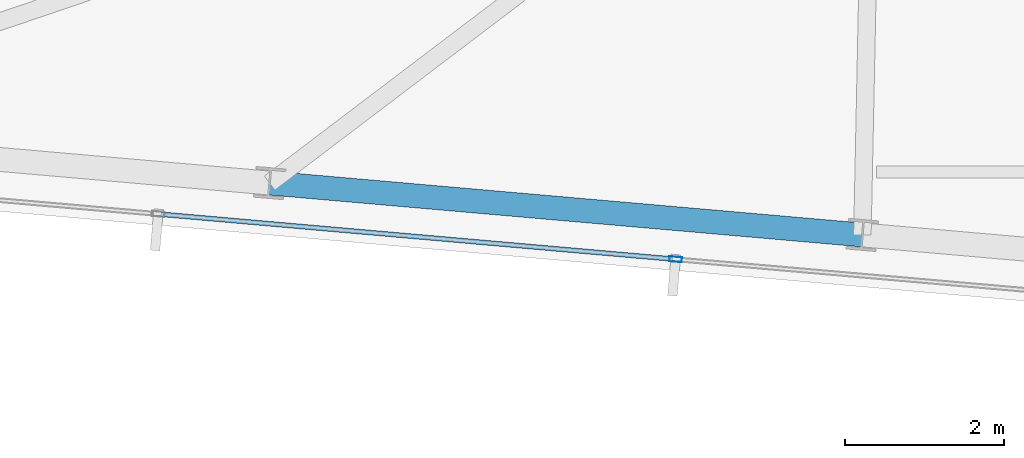
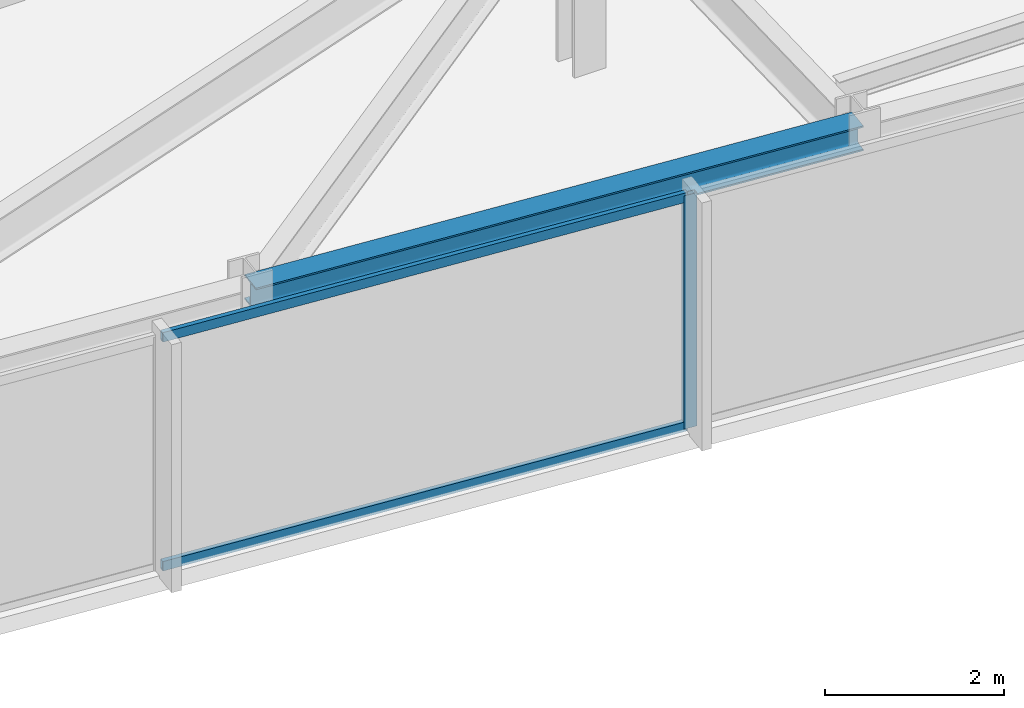
# One storey, part 3 of 32: 3 members, 1 beam, 1 element without a shape of its own.
"""IFC4 building model written with IfcOpenShell, lengths in metres."""

from ifc_helpers import new_model, si_unit, direction, frame, origin, origin_2d, place, context, subcontext, project, spatial, hollow_rectangle, i_section, extrude, material, material_profile, profile_set, type_object, element, aggregate, save


model = new_model("IFC4")

# Units and contexts
model_context = context("Model", 3, precision=1e-05, world=origin(), true_north=direction((0.0, 1.0)))
body_context = subcontext(model_context, "Body", "Model", "MODEL_VIEW")
ifc_project = project(units=[si_unit("LENGTHUNIT", "METRE"), si_unit("AREAUNIT", "SQUARE_METRE"), si_unit("VOLUMEUNIT", "CUBIC_METRE"), si_unit("PLANEANGLEUNIT", "RADIAN"), si_unit("MASSUNIT", "GRAM", prefix="KILO")], contexts=[model_context])

# Site, building, storey
site_placement = place(None, origin())
site = spatial("IfcSite", under=ifc_project, at=site_placement, CompositionType="ELEMENT")
building_placement = place(site_placement, origin())
building = spatial("IfcBuilding", under=site, at=building_placement, Name="Yelkora Congress Tower", CompositionType="ELEMENT")
storey_placement = place(building_placement, frame((0.0, 0.0, 293.10009765625)))
storey = spatial("IfcBuildingStorey", under=building, at=storey_placement, Name="L82", CompositionType="ELEMENT", Elevation=293.10009765625)

# Beam
ifc_material_1 = material(Name="Steel S355J2", Category="steel")
ifc_material_profile_1 = material_profile(ifc_material_1, i_section(OverallWidth=0.300048828125, OverallDepth=0.340087890625, WebThickness=0.011962890625, FlangeThickness=0.021484375, FilletRadius=0.027099609375, at=origin_2d()), Name="HEB 340")
ifc_profile_set_1 = profile_set([ifc_material_profile_1], Name="Steel S355J2")
beam_type = type_object("IfcBeamType", Name="BM-SPAN-HEB340", PredefinedType="SPANDREL", material=ifc_profile_set_1)
beam_placement = place(storey_placement, frame((15.452880859375, 19.445556640625, 3.010009765625), z_axis=(0.996193186297, -0.08717302092, 0.0), x_axis=(0.08717302092, 0.996193186297, 0.0)))
element("IfcBeam", 1, at=beam_placement, inside=storey, type_object=beam_type, Name="L82 Perimeter Beam 2", PredefinedType="SPANDREL", context=body_context, shape_type="SweptSolid", body=[
    extrude(i_section(OverallWidth=0.300048828125, OverallDepth=0.340087890625, WebThickness=0.011962890625, FlangeThickness=0.021484375, FilletRadius=0.027099609375, at=origin_2d()), origin(), (0.0, 0.0, 1.0), 7.4833984375),
])

# Curtain wall, members
ifc_material_2 = material(Name="Anodised aluminium and insulated glass", Category="aluminium")
curtain_wall_type = type_object("IfcCurtainWallType", Name="CW-SYS-B5", PredefinedType="NOTDEFINED", material=ifc_material_2)
curtain_wall_placement = place(storey_placement, origin())
curtain_wall = element("IfcCurtainWall", 2, at=curtain_wall_placement, inside=storey, type_object=curtain_wall_type, Name="L82 Unitised Curtain Wall 20", PredefinedType="NOTDEFINED")
ifc_material_3 = material(Name="Anodised aluminium 6063-T6", Category="aluminium")
ifc_material_profile_2 = material_profile(ifc_material_3, hollow_rectangle(XDim=0.06494140625, YDim=0.159912109375, WallThickness=0.00390625, at=origin_2d()), Name="ALU 65x160x4")
ifc_profile_set_2 = profile_set([ifc_material_profile_2], Name="Anodised aluminium 6063-T6")
member_type_1 = type_object("IfcMemberType", Name="MEM-ML-B5", PredefinedType="MULLION", material=ifc_profile_set_2)
member_1_placement = place(storey_placement, frame((20.558349609375, 18.487060546875, 0.0), z_axis=(0.0, 0.0, 1.0), x_axis=(-0.087156829793, -0.996194602987, 0.0)))
member_1 = element("IfcMember", 3, at=member_1_placement, type_object=member_type_1, Name="CW-B5 mullion 6", PredefinedType="MULLION", context=body_context, shape_type="SweptSolid", body=[
    extrude(hollow_rectangle(XDim=0.06494140625, YDim=0.159912109375, WallThickness=0.00390625, at=origin_2d()), origin(), (0.0, 0.0, 1.0), 3.179931640625),
])
ifc_material_profile_3 = material_profile(ifc_material_3, hollow_rectangle(XDim=0.06005859375, YDim=0.1298828125, WallThickness=0.00390625, at=origin_2d()), Name="ALU 60x130x4")
ifc_profile_set_3 = profile_set([ifc_material_profile_3], Name="Anodised aluminium 6063-T6")
member_type_2 = type_object("IfcMemberType", Name="MEM-TR-B5", PredefinedType="USERDEFINED", material=ifc_profile_set_3)
member_2_placement = place(storey_placement, frame((20.52587890625, 18.48974609375, 0.02978515625), z_axis=(-0.99619269288, 0.087178659385, 0.0), x_axis=(-0.087178659385, -0.99619269288, 0.0)))
member_2 = element("IfcMember", 4, at=member_2_placement, type_object=member_type_2, Name="CW-B5 transom 6.1", ObjectType="TRANSOM", PredefinedType="USERDEFINED", context=body_context, shape_type="SweptSolid", body=[
    extrude(hollow_rectangle(XDim=0.06005859375, YDim=0.1298828125, WallThickness=0.00390625, at=origin_2d()), origin(), (0.0, 0.0, 1.0), 6.46630859375),
])
member_3_placement = place(storey_placement, frame((20.52587890625, 18.48974609375, 3.14990234375), z_axis=(-0.99619269288, 0.087178659385, 0.0), x_axis=(-0.087178659385, -0.99619269288, 0.0)))
member_3 = element("IfcMember", 5, at=member_3_placement, type_object=member_type_2, Name="CW-B5 transom 6.2", ObjectType="TRANSOM", PredefinedType="USERDEFINED", context=body_context, shape_type="SweptSolid", body=[
    extrude(hollow_rectangle(XDim=0.06005859375, YDim=0.1298828125, WallThickness=0.00390625, at=origin_2d()), origin(), (0.0, 0.0, 1.0), 6.46630859375),
])
aggregate(curtain_wall, [member_1, member_2, member_3])

save(model, "model.ifc")
